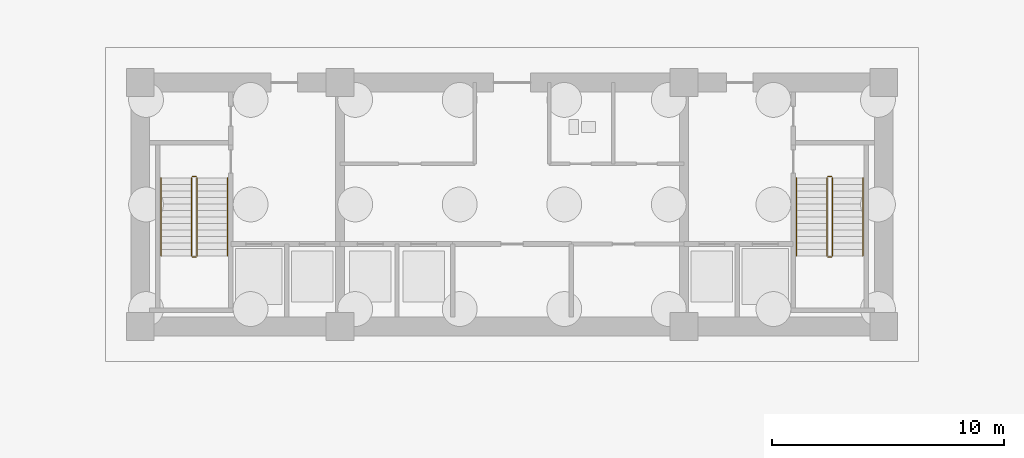
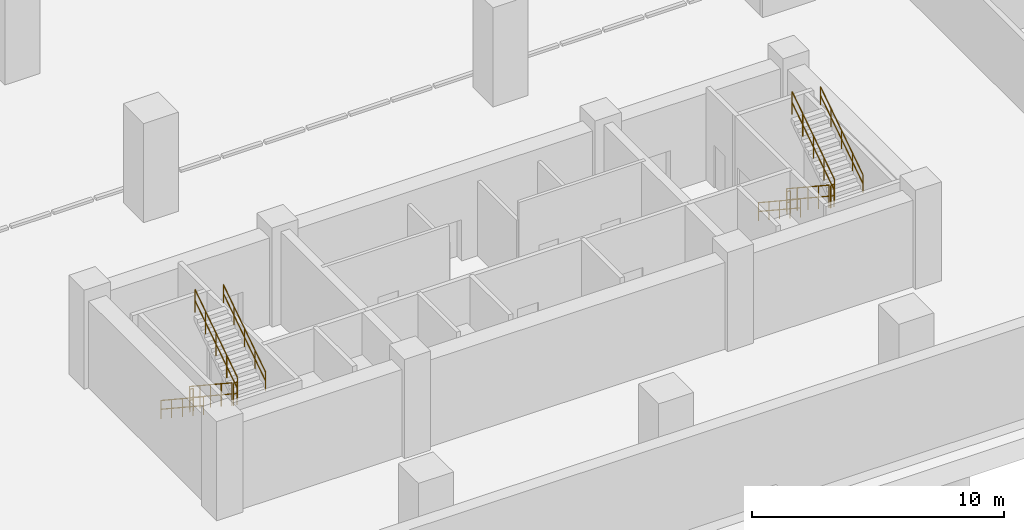
# One storey, part 6 of 8: 12 railings.
"""IFC4 building model written with IfcOpenShell, lengths in metres."""

from ifc_helpers import new_model, si_unit, direction, frame, origin, origin_2d, place, context, subcontext, project, spatial, circle, extrude, material, layer, layer_set, type_object, element, save


model = new_model("IFC4")

# Units and contexts
model_context = context("Model", 3, precision=1e-05, world=origin(), true_north=direction((0.0, 1.0)))
body_context = subcontext(model_context, "Body", "Model", "MODEL_VIEW")
ifc_project = project(units=[si_unit("LENGTHUNIT", "METRE"), si_unit("AREAUNIT", "SQUARE_METRE"), si_unit("VOLUMEUNIT", "CUBIC_METRE"), si_unit("PLANEANGLEUNIT", "RADIAN"), si_unit("MASSUNIT", "GRAM", prefix="KILO")], contexts=[model_context])

# Site, building, storey
site_placement = place(None, origin())
site = spatial("IfcSite", under=ifc_project, at=site_placement, CompositionType="ELEMENT")
building_placement = place(site_placement, origin())
building = spatial("IfcBuilding", under=site, at=building_placement, Name="Solmavex Isthmus Hotel", CompositionType="ELEMENT")
storey_placement = place(building_placement, frame((0.0, 0.0, -10.0)))
storey = spatial("IfcBuildingStorey", under=building, at=storey_placement, Name="B02", CompositionType="ELEMENT", Elevation=-10.0)

# Railings
ifc_material = material(Name="Stainless steel 316", Category="steel")
ifc_layer_1 = layer(ifc_material, 0.06005859375)
ifc_layer_set_1 = layer_set([ifc_layer_1], Name="Stainless steel 316")
railing_type_1 = type_object("IfcRailingType", Name="RAIL-STAIR-GD", PredefinedType="GUARDRAIL", material=ifc_layer_set_1)
railing_1_placement = place(storey_placement, frame((-13.800048828125, -6.60009765625, 0.1845703125)))
element("IfcRailing", 1, at=railing_1_placement, inside=storey, type_object=railing_type_1, Name="B02 ST-1 stair guard 1", PredefinedType="GUARDRAIL", context=body_context, shape_type="SweptSolid", body=[
    extrude(circle(Radius=0.02392578125, at=origin_2d()), frame((0.0, 0.0, 1.09619140625), z_axis=(0.0, -0.834858096282, 0.550465220583), x_axis=(1.0, 0.0, 0.0)), (0.0, 0.0, 1.0), 4.0244140625),
    extrude(circle(Radius=0.02392578125, at=origin_2d()), frame((0.0, 0.0, 0.56005859375), z_axis=(0.0, -0.834858096282, 0.550465220583), x_axis=(1.0, 0.0, 0.0)), (0.0, 0.0, 1.0), 4.0244140625),
    extrude(circle(Radius=0.02099609375, at=origin_2d()), origin(), (0.0, 0.0, 1.0), 1.072021484375),
    extrude(circle(Radius=0.02099609375, at=origin_2d()), frame((0.0, -0.83984375, 0.5537109375)), (0.0, 0.0, 1.0), 1.072021484375),
    extrude(circle(Radius=0.02099609375, at=origin_2d()), frame((0.0, -1.679931640625, 1.107666015625)), (0.0, 0.0, 1.0), 1.072021484375),
    extrude(circle(Radius=0.02099609375, at=origin_2d()), frame((0.0, -2.52001953125, 1.66162109375)), (0.0, 0.0, 1.0), 1.072021484375),
    extrude(circle(Radius=0.02099609375, at=origin_2d()), frame((0.0, -3.35986328125, 2.21533203125)), (0.0, 0.0, 1.0), 1.072021484375),
])
railing_2_placement = place(storey_placement, frame((-13.75, -10.010009765625, 2.39990234375)))
element("IfcRailing", 2, at=railing_2_placement, inside=storey, type_object=railing_type_1, Name="B02 ST-1 stair guard 2", PredefinedType="GUARDRAIL", context=body_context, shape_type="SweptSolid", body=[
    extrude(circle(Radius=0.02392578125, at=origin_2d()), frame((0.0, 0.0, 1.09619140625), z_axis=(1.0, 0.0, 0.0), x_axis=(0.0, 1.0, 0.0)), (0.0, 0.0, 1.0), 0.14990234375),
    extrude(circle(Radius=0.02392578125, at=origin_2d()), frame((0.0, 0.0, 0.56005859375), z_axis=(1.0, 0.0, 0.0), x_axis=(0.0, 1.0, 0.0)), (0.0, 0.0, 1.0), 0.14990234375),
    extrude(circle(Radius=0.02099609375, at=origin_2d()), origin(), (0.0, 0.0, 1.0), 1.072021484375),
    extrude(circle(Radius=0.02099609375, at=origin_2d()), frame((0.14990234375, 0.0, 0.0)), (0.0, 0.0, 1.0), 1.072021484375),
])
railing_3_placement = place(storey_placement, frame((-13.550048828125, -9.9599609375, 2.584716796875)))
element("IfcRailing", 3, at=railing_3_placement, inside=storey, type_object=railing_type_1, Name="B02 ST-1 stair guard 3", PredefinedType="GUARDRAIL", context=body_context, shape_type="SweptSolid", body=[
    extrude(circle(Radius=0.02392578125, at=origin_2d()), frame((0.0, 0.0, 1.09619140625), z_axis=(0.0, 0.834858096282, 0.550465220583), x_axis=(-1.0, 0.0, 0.0)), (0.0, 0.0, 1.0), 4.0244140625),
    extrude(circle(Radius=0.02392578125, at=origin_2d()), frame((0.0, 0.0, 0.56005859375), z_axis=(0.0, 0.834858096282, 0.550465220583), x_axis=(-1.0, 0.0, 0.0)), (0.0, 0.0, 1.0), 4.0244140625),
    extrude(circle(Radius=0.02099609375, at=origin_2d()), origin(), (0.0, 0.0, 1.0), 1.072021484375),
    extrude(circle(Radius=0.02099609375, at=origin_2d()), frame((0.0, 0.83984375, 0.5537109375)), (0.0, 0.0, 1.0), 1.072021484375),
    extrude(circle(Radius=0.02099609375, at=origin_2d()), frame((0.0, 1.679931640625, 1.107666015625)), (0.0, 0.0, 1.0), 1.072021484375),
    extrude(circle(Radius=0.02099609375, at=origin_2d()), frame((0.0, 2.52001953125, 1.66162109375)), (0.0, 0.0, 1.0), 1.072021484375),
    extrude(circle(Radius=0.02099609375, at=origin_2d()), frame((0.0, 3.35986328125, 2.21533203125)), (0.0, 0.0, 1.0), 1.072021484375),
])
railing_4_placement = place(storey_placement, frame((-13.75, -6.550048828125, 0.0)))
element("IfcRailing", 4, at=railing_4_placement, inside=storey, type_object=railing_type_1, Name="B02 ST-1 stair guard 4", PredefinedType="GUARDRAIL", context=body_context, shape_type="SweptSolid", body=[
    extrude(circle(Radius=0.02392578125, at=origin_2d()), frame((0.0, 0.0, 1.09619140625), z_axis=(1.0, 0.0, 0.0), x_axis=(0.0, 1.0, 0.0)), (0.0, 0.0, 1.0), 0.14990234375),
    extrude(circle(Radius=0.02392578125, at=origin_2d()), frame((0.0, 0.0, 0.56005859375), z_axis=(1.0, 0.0, 0.0), x_axis=(0.0, 1.0, 0.0)), (0.0, 0.0, 1.0), 0.14990234375),
    extrude(circle(Radius=0.02099609375, at=origin_2d()), origin(), (0.0, 0.0, 1.0), 1.072021484375),
    extrude(circle(Radius=0.02099609375, at=origin_2d()), frame((0.14990234375, 0.0, 0.0)), (0.0, 0.0, 1.0), 1.072021484375),
])
railing_5_placement = place(storey_placement, frame((13.550048828125, -6.60009765625, 0.1845703125)))
element("IfcRailing", 5, at=railing_5_placement, inside=storey, type_object=railing_type_1, Name="B02 ST-2 stair guard 1", PredefinedType="GUARDRAIL", context=body_context, shape_type="SweptSolid", body=[
    extrude(circle(Radius=0.02392578125, at=origin_2d()), frame((0.0, 0.0, 1.09619140625), z_axis=(0.0, -0.834858096282, 0.550465220583), x_axis=(1.0, 0.0, 0.0)), (0.0, 0.0, 1.0), 4.0244140625),
    extrude(circle(Radius=0.02392578125, at=origin_2d()), frame((0.0, 0.0, 0.56005859375), z_axis=(0.0, -0.834858096282, 0.550465220583), x_axis=(1.0, 0.0, 0.0)), (0.0, 0.0, 1.0), 4.0244140625),
    extrude(circle(Radius=0.02099609375, at=origin_2d()), origin(), (0.0, 0.0, 1.0), 1.072021484375),
    extrude(circle(Radius=0.02099609375, at=origin_2d()), frame((0.0, -0.83984375, 0.5537109375)), (0.0, 0.0, 1.0), 1.072021484375),
    extrude(circle(Radius=0.02099609375, at=origin_2d()), frame((0.0, -1.679931640625, 1.107666015625)), (0.0, 0.0, 1.0), 1.072021484375),
    extrude(circle(Radius=0.02099609375, at=origin_2d()), frame((0.0, -2.52001953125, 1.66162109375)), (0.0, 0.0, 1.0), 1.072021484375),
    extrude(circle(Radius=0.02099609375, at=origin_2d()), frame((0.0, -3.35986328125, 2.21533203125)), (0.0, 0.0, 1.0), 1.072021484375),
])
railing_6_placement = place(storey_placement, frame((13.60009765625, -10.010009765625, 2.39990234375)))
element("IfcRailing", 6, at=railing_6_placement, inside=storey, type_object=railing_type_1, Name="B02 ST-2 stair guard 2", PredefinedType="GUARDRAIL", context=body_context, shape_type="SweptSolid", body=[
    extrude(circle(Radius=0.02392578125, at=origin_2d()), frame((0.0, 0.0, 1.09619140625), z_axis=(1.0, 0.0, 0.0), x_axis=(0.0, 1.0, 0.0)), (0.0, 0.0, 1.0), 0.14990234375),
    extrude(circle(Radius=0.02392578125, at=origin_2d()), frame((0.0, 0.0, 0.56005859375), z_axis=(1.0, 0.0, 0.0), x_axis=(0.0, 1.0, 0.0)), (0.0, 0.0, 1.0), 0.14990234375),
    extrude(circle(Radius=0.02099609375, at=origin_2d()), origin(), (0.0, 0.0, 1.0), 1.072021484375),
    extrude(circle(Radius=0.02099609375, at=origin_2d()), frame((0.14990234375, 0.0, 0.0)), (0.0, 0.0, 1.0), 1.072021484375),
])
railing_7_placement = place(storey_placement, frame((13.800048828125, -9.9599609375, 2.584716796875)))
element("IfcRailing", 7, at=railing_7_placement, inside=storey, type_object=railing_type_1, Name="B02 ST-2 stair guard 3", PredefinedType="GUARDRAIL", context=body_context, shape_type="SweptSolid", body=[
    extrude(circle(Radius=0.02392578125, at=origin_2d()), frame((0.0, 0.0, 1.09619140625), z_axis=(0.0, 0.834858096282, 0.550465220583), x_axis=(-1.0, 0.0, 0.0)), (0.0, 0.0, 1.0), 4.0244140625),
    extrude(circle(Radius=0.02392578125, at=origin_2d()), frame((0.0, 0.0, 0.56005859375), z_axis=(0.0, 0.834858096282, 0.550465220583), x_axis=(-1.0, 0.0, 0.0)), (0.0, 0.0, 1.0), 4.0244140625),
    extrude(circle(Radius=0.02099609375, at=origin_2d()), origin(), (0.0, 0.0, 1.0), 1.072021484375),
    extrude(circle(Radius=0.02099609375, at=origin_2d()), frame((0.0, 0.83984375, 0.5537109375)), (0.0, 0.0, 1.0), 1.072021484375),
    extrude(circle(Radius=0.02099609375, at=origin_2d()), frame((0.0, 1.679931640625, 1.107666015625)), (0.0, 0.0, 1.0), 1.072021484375),
    extrude(circle(Radius=0.02099609375, at=origin_2d()), frame((0.0, 2.52001953125, 1.66162109375)), (0.0, 0.0, 1.0), 1.072021484375),
    extrude(circle(Radius=0.02099609375, at=origin_2d()), frame((0.0, 3.35986328125, 2.21533203125)), (0.0, 0.0, 1.0), 1.072021484375),
])
railing_8_placement = place(storey_placement, frame((13.60009765625, -6.550048828125, 0.0)))
element("IfcRailing", 8, at=railing_8_placement, inside=storey, type_object=railing_type_1, Name="B02 ST-2 stair guard 4", PredefinedType="GUARDRAIL", context=body_context, shape_type="SweptSolid", body=[
    extrude(circle(Radius=0.02392578125, at=origin_2d()), frame((0.0, 0.0, 1.09619140625), z_axis=(1.0, 0.0, 0.0), x_axis=(0.0, 1.0, 0.0)), (0.0, 0.0, 1.0), 0.14990234375),
    extrude(circle(Radius=0.02392578125, at=origin_2d()), frame((0.0, 0.0, 0.56005859375), z_axis=(1.0, 0.0, 0.0), x_axis=(0.0, 1.0, 0.0)), (0.0, 0.0, 1.0), 0.14990234375),
    extrude(circle(Radius=0.02099609375, at=origin_2d()), origin(), (0.0, 0.0, 1.0), 1.072021484375),
    extrude(circle(Radius=0.02099609375, at=origin_2d()), frame((0.14990234375, 0.0, 0.0)), (0.0, 0.0, 1.0), 1.072021484375),
])
ifc_layer_2 = layer(ifc_material, 0.050048828125)
ifc_layer_set_2 = layer_set([ifc_layer_2], Name="Stainless steel 316")
railing_type_2 = type_object("IfcRailingType", Name="RAIL-STAIR-HR", PredefinedType="HANDRAIL", material=ifc_layer_set_2)
railing_9_placement = place(storey_placement, frame((-15.10009765625, -6.60009765625, 0.1845703125)))
element("IfcRailing", 9, at=railing_9_placement, inside=storey, type_object=railing_type_2, Name="B02 ST-1 stair handrail 1", PredefinedType="HANDRAIL", context=body_context, shape_type="SweptSolid", body=[
    extrude(circle(Radius=0.02392578125, at=origin_2d()), frame((0.0, 0.0, 0.8759765625), z_axis=(0.0, -0.834858096282, 0.550465220583), x_axis=(1.0, 0.0, 0.0)), (0.0, 0.0, 1.0), 4.0244140625),
    extrude(circle(Radius=0.02392578125, at=origin_2d()), frame((0.0, 0.0, 0.449951171875), z_axis=(0.0, -0.834858096282, 0.550465220583), x_axis=(1.0, 0.0, 0.0)), (0.0, 0.0, 1.0), 4.0244140625),
    extrude(circle(Radius=0.02099609375, at=origin_2d()), origin(), (0.0, 0.0, 1.0), 0.851806640625),
    extrude(circle(Radius=0.02099609375, at=origin_2d()), frame((0.0, -0.83984375, 0.5537109375)), (0.0, 0.0, 1.0), 0.851806640625),
    extrude(circle(Radius=0.02099609375, at=origin_2d()), frame((0.0, -1.679931640625, 1.107666015625)), (0.0, 0.0, 1.0), 0.851806640625),
    extrude(circle(Radius=0.02099609375, at=origin_2d()), frame((0.0, -2.52001953125, 1.66162109375)), (0.0, 0.0, 1.0), 0.851806640625),
    extrude(circle(Radius=0.02099609375, at=origin_2d()), frame((0.0, -3.35986328125, 2.21533203125)), (0.0, 0.0, 1.0), 0.851806640625),
])
railing_10_placement = place(storey_placement, frame((-12.25, -9.9599609375, 2.584716796875)))
element("IfcRailing", 10, at=railing_10_placement, inside=storey, type_object=railing_type_2, Name="B02 ST-1 stair handrail 2", PredefinedType="HANDRAIL", context=body_context, shape_type="SweptSolid", body=[
    extrude(circle(Radius=0.02392578125, at=origin_2d()), frame((0.0, 0.0, 0.8759765625), z_axis=(0.0, 0.834858096282, 0.550465220583), x_axis=(-1.0, 0.0, 0.0)), (0.0, 0.0, 1.0), 4.0244140625),
    extrude(circle(Radius=0.02392578125, at=origin_2d()), frame((0.0, 0.0, 0.449951171875), z_axis=(0.0, 0.834858096282, 0.550465220583), x_axis=(-1.0, 0.0, 0.0)), (0.0, 0.0, 1.0), 4.0244140625),
    extrude(circle(Radius=0.02099609375, at=origin_2d()), origin(), (0.0, 0.0, 1.0), 0.851806640625),
    extrude(circle(Radius=0.02099609375, at=origin_2d()), frame((0.0, 0.83984375, 0.5537109375)), (0.0, 0.0, 1.0), 0.851806640625),
    extrude(circle(Radius=0.02099609375, at=origin_2d()), frame((0.0, 1.679931640625, 1.107666015625)), (0.0, 0.0, 1.0), 0.851806640625),
    extrude(circle(Radius=0.02099609375, at=origin_2d()), frame((0.0, 2.52001953125, 1.66162109375)), (0.0, 0.0, 1.0), 0.851806640625),
    extrude(circle(Radius=0.02099609375, at=origin_2d()), frame((0.0, 3.35986328125, 2.21533203125)), (0.0, 0.0, 1.0), 0.851806640625),
])
railing_11_placement = place(storey_placement, frame((12.25, -6.60009765625, 0.1845703125)))
element("IfcRailing", 11, at=railing_11_placement, inside=storey, type_object=railing_type_2, Name="B02 ST-2 stair handrail 1", PredefinedType="HANDRAIL", context=body_context, shape_type="SweptSolid", body=[
    extrude(circle(Radius=0.02392578125, at=origin_2d()), frame((0.0, 0.0, 0.8759765625), z_axis=(0.0, -0.834858096282, 0.550465220583), x_axis=(1.0, 0.0, 0.0)), (0.0, 0.0, 1.0), 4.0244140625),
    extrude(circle(Radius=0.02392578125, at=origin_2d()), frame((0.0, 0.0, 0.449951171875), z_axis=(0.0, -0.834858096282, 0.550465220583), x_axis=(1.0, 0.0, 0.0)), (0.0, 0.0, 1.0), 4.0244140625),
    extrude(circle(Radius=0.02099609375, at=origin_2d()), origin(), (0.0, 0.0, 1.0), 0.851806640625),
    extrude(circle(Radius=0.02099609375, at=origin_2d()), frame((0.0, -0.83984375, 0.5537109375)), (0.0, 0.0, 1.0), 0.851806640625),
    extrude(circle(Radius=0.02099609375, at=origin_2d()), frame((0.0, -1.679931640625, 1.107666015625)), (0.0, 0.0, 1.0), 0.851806640625),
    extrude(circle(Radius=0.02099609375, at=origin_2d()), frame((0.0, -2.52001953125, 1.66162109375)), (0.0, 0.0, 1.0), 0.851806640625),
    extrude(circle(Radius=0.02099609375, at=origin_2d()), frame((0.0, -3.35986328125, 2.21533203125)), (0.0, 0.0, 1.0), 0.851806640625),
])
railing_12_placement = place(storey_placement, frame((15.10009765625, -9.9599609375, 2.584716796875)))
element("IfcRailing", 12, at=railing_12_placement, inside=storey, type_object=railing_type_2, Name="B02 ST-2 stair handrail 2", PredefinedType="HANDRAIL", context=body_context, shape_type="SweptSolid", body=[
    extrude(circle(Radius=0.02392578125, at=origin_2d()), frame((0.0, 0.0, 0.8759765625), z_axis=(0.0, 0.834858096282, 0.550465220583), x_axis=(-1.0, 0.0, 0.0)), (0.0, 0.0, 1.0), 4.0244140625),
    extrude(circle(Radius=0.02392578125, at=origin_2d()), frame((0.0, 0.0, 0.449951171875), z_axis=(0.0, 0.834858096282, 0.550465220583), x_axis=(-1.0, 0.0, 0.0)), (0.0, 0.0, 1.0), 4.0244140625),
    extrude(circle(Radius=0.02099609375, at=origin_2d()), origin(), (0.0, 0.0, 1.0), 0.851806640625),
    extrude(circle(Radius=0.02099609375, at=origin_2d()), frame((0.0, 0.83984375, 0.5537109375)), (0.0, 0.0, 1.0), 0.851806640625),
    extrude(circle(Radius=0.02099609375, at=origin_2d()), frame((0.0, 1.679931640625, 1.107666015625)), (0.0, 0.0, 1.0), 0.851806640625),
    extrude(circle(Radius=0.02099609375, at=origin_2d()), frame((0.0, 2.52001953125, 1.66162109375)), (0.0, 0.0, 1.0), 0.851806640625),
    extrude(circle(Radius=0.02099609375, at=origin_2d()), frame((0.0, 3.35986328125, 2.21533203125)), (0.0, 0.0, 1.0), 0.851806640625),
])

save(model, "model.ifc")
